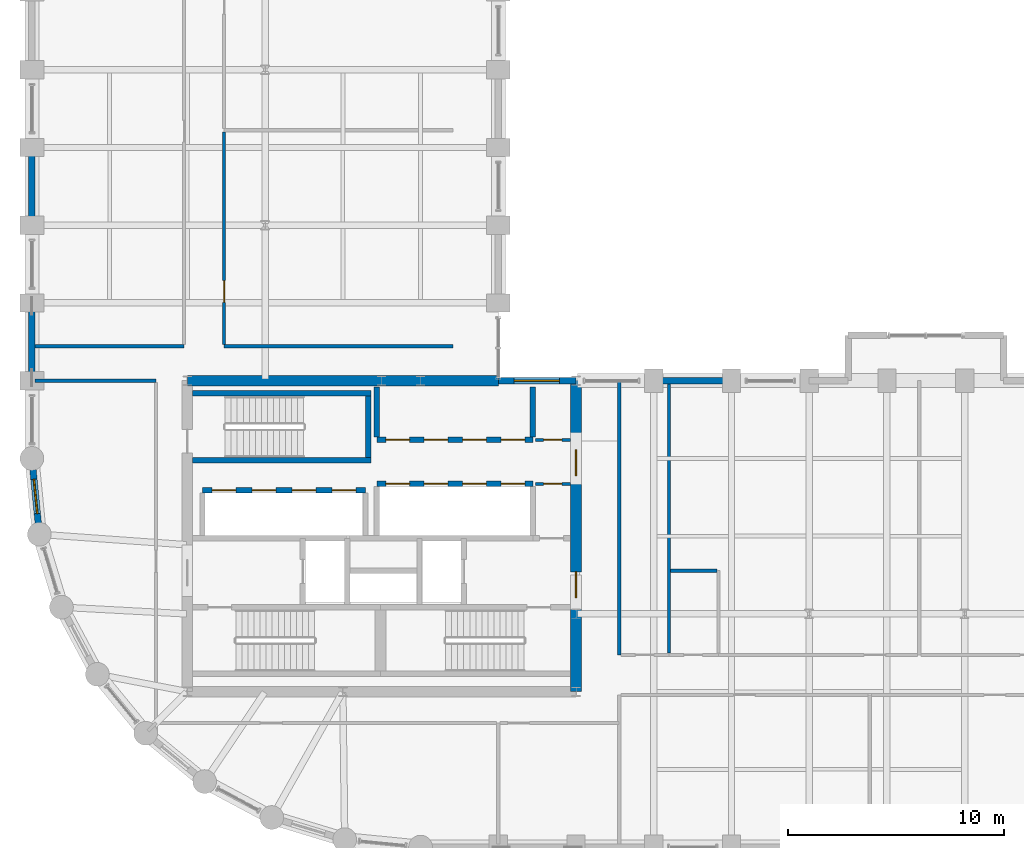
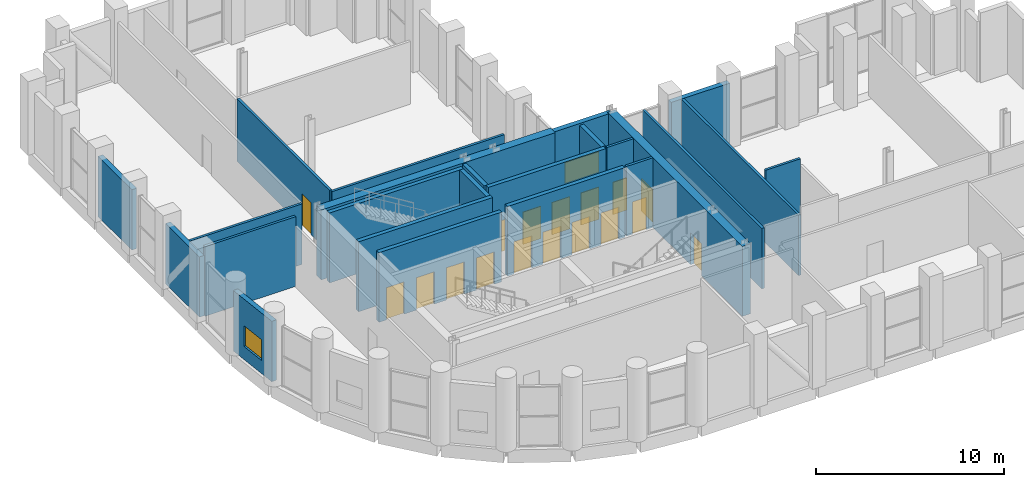
# One storey, part 19 of 22: 24 walls, 17 doors, 2 windows, 19 openings.
"""IFC4 building model written with IfcOpenShell, lengths in metres."""

from ifc_helpers import new_model, si_unit, direction, frame, frame_2d, origin, place, context, subcontext, project, spatial, rectangle, extrude, material, layer, layer_set, type_object, element, fill, save


model = new_model("IFC4")

# Units and contexts
model_context = context("Model", 3, precision=1e-05, world=origin(), true_north=direction((0.0, 1.0)))
body_context = subcontext(model_context, "Body", "Model", "MODEL_VIEW")
ifc_project = project(units=[si_unit("LENGTHUNIT", "METRE"), si_unit("AREAUNIT", "SQUARE_METRE"), si_unit("VOLUMEUNIT", "CUBIC_METRE"), si_unit("PLANEANGLEUNIT", "RADIAN"), si_unit("MASSUNIT", "GRAM", prefix="KILO")], contexts=[model_context])

# Site, building, storey
site_placement = place(None, origin())
site = spatial("IfcSite", under=ifc_project, at=site_placement, CompositionType="ELEMENT")
building_placement = place(site_placement, origin())
building = spatial("IfcBuilding", under=site, at=building_placement, Name="Solnavia Interchange Tower", CompositionType="ELEMENT")
storey_placement = place(building_placement, frame((0.0, 0.0, 115.199951171875)))
storey = spatial("IfcBuildingStorey", under=building, at=storey_placement, Name="L28", CompositionType="ELEMENT", Elevation=115.199951171875)

# Wall
ifc_material_1 = material(Name="Concrete C40/50", Category="concrete")
ifc_layer_1 = layer(ifc_material_1, 0.300048828125)
ifc_layer_set_1 = layer_set([ifc_layer_1], Name="Concrete C40/50")
wall_type_1 = type_object("IfcWallType", Name="Wall-ExtSpandrel-300", PredefinedType="STANDARD", material=ifc_layer_set_1)
wall_1_placement = place(storey_placement, frame((36.0, 25.199951171875, 0.0), z_axis=(0.0, 0.0, 1.0), x_axis=(1.0, 0.0, 0.0)))
element("IfcWall", 1, at=wall_1_placement, inside=storey, type_object=wall_type_1, Name="EXW-L28-29 Exterior precast spandrel wall", PredefinedType="STANDARD", context=body_context, shape_type="SweptSolid", body=[
    extrude(rectangle(XDim=3.60009765625, YDim=0.300048828125, at=frame_2d((1.800048828125, 0.0))), origin(), (0.0, 0.0, 1.0), 3.929931640625),
])

# Wall, opening, window
wall_2_placement = place(storey_placement, frame((28.800048828125, 25.199951171875, 0.0), z_axis=(0.0, 0.0, 1.0), x_axis=(1.0, 0.0, 0.0)))
wall_2 = element("IfcWall", 2, at=wall_2_placement, inside=storey, type_object=wall_type_1, Name="EXW-L28-31 Exterior precast spandrel wall", PredefinedType="STANDARD", context=body_context, shape_type="SweptSolid", body=[
    extrude(rectangle(XDim=3.599853515625, YDim=0.300048828125, at=frame_2d((1.7998046875, 0.0))), origin(), (0.0, 0.0, 1.0), 4.53515625),
])
opening_1_placement = place(wall_2_placement, frame((0.72802734375, 0.0, 0.85009765625)))
opening_1 = element("IfcOpeningElement", 3, at=opening_1_placement, cuts=wall_2, Name="Opening WIN-01", PredefinedType="OPENING", context=body_context, shape_type="SweptSolid", body=[
    extrude(rectangle(XDim=2.10009765625, YDim=1.35009765625, at=frame_2d((1.050048828125, 0.675048828125))), frame((0.0, 0.16015625, 0.0), z_axis=(0.0, -1.0, 0.0), x_axis=(1.0, 0.0, 0.0)), (0.0, 0.0, 1.0), 0.320068359375),
])
ifc_material_2 = material(Name="Thermal-Break Aluminium & Low-E Glass", Category="aluminium")
window_type_1 = type_object("IfcWindowType", Name="Window-Ribbon-2100x1350", PartitioningType="SINGLE_PANEL", PredefinedType="WINDOW", material=ifc_material_2)
window_1_placement = place(opening_1_placement, origin())
window_1 = element("IfcWindow", 4, at=window_1_placement, inside=storey, type_object=window_type_1, Name="WIN-L28-31 Facade ribbon window", OverallHeight=1.35009765625, OverallWidth=2.10009765625, PartitioningType="SINGLE_PANEL", PredefinedType="WINDOW", context=body_context, shape_type="SweptSolid", body=[
    extrude(rectangle(XDim=2.10009765625, YDim=1.35009765625, at=frame_2d((1.050048828125, 0.675048828125))), frame((0.0, 0.030029296875, 0.0), z_axis=(0.0, -1.0, 0.0), x_axis=(1.0, 0.0, 0.0)), (0.0, 0.0, 1.0), 0.06005859375),
])
fill(opening_1, window_1)

# Walls
for number, where, z_axis, x_axis, name in (
    (5, (7.199951171875, 32.39990234375, 0.0), (0.0, 0.0, 1.0), (0.0, 1.0, 0.0), "EXW-L28-51 Exterior precast spandrel wall"),
    (6, (7.199951171875, 25.199951171875, 0.0), (0.0, 0.0, 1.0), (0.0, 1.0, 0.0), "EXW-L28-53 Exterior precast spandrel wall"),
):
    element("IfcWall", number, at=place(storey_placement, frame(where, z_axis=z_axis, x_axis=x_axis)), inside=storey, type_object=wall_type_1, Name=name, PredefinedType="STANDARD", context=body_context, shape_type="SweptSolid", body=[
        extrude(rectangle(XDim=3.60009765625, YDim=0.300048828125, at=frame_2d((1.800048828125, 0.0))), origin(), (0.0, 0.0, 1.0), 3.929931640625),
    ])

# Wall, opening, window
wall_3_placement = place(storey_placement, frame((7.5458984375, 18.087890625, 0.0), z_axis=(0.0, 0.0, 1.0), x_axis=(-0.09802417461, 0.995184033831, 0.0)))
wall_3 = element("IfcWall", 7, at=wall_3_placement, inside=storey, type_object=wall_type_1, Name="EXW-L28-55 Exterior precast spandrel wall", PredefinedType="STANDARD", context=body_context, shape_type="SweptSolid", body=[
    extrude(rectangle(XDim=3.529296875, YDim=0.300048828125, at=frame_2d((1.7646484375, 0.0))), origin(), (0.0, 0.0, 1.0), 3.929931640625),
])
opening_2_placement = place(wall_3_placement, frame((0.965087890625, 0.0, 0.85009765625)))
opening_2 = element("IfcOpeningElement", 8, at=opening_2_placement, cuts=wall_3, Name="Opening WIN-04", PredefinedType="OPENING", context=body_context, shape_type="SweptSolid", body=[
    extrude(rectangle(XDim=1.60009765625, YDim=1.35009765625, at=frame_2d((0.800048828125, 0.675048828125))), frame((0.0, 0.16015625, 0.0), z_axis=(0.0, -1.0, 0.0), x_axis=(1.0, 0.0, 0.0)), (0.0, 0.0, 1.0), 0.320068359375),
])
window_type_2 = type_object("IfcWindowType", Name="Window-Drum-1600x1350", PartitioningType="SINGLE_PANEL", PredefinedType="WINDOW", material=ifc_material_2)
window_2_placement = place(opening_2_placement, origin())
window_2 = element("IfcWindow", 9, at=window_2_placement, inside=storey, type_object=window_type_2, Name="WIN-L28-55 Facade ribbon window", OverallHeight=1.35009765625, OverallWidth=1.60009765625, PartitioningType="SINGLE_PANEL", PredefinedType="WINDOW", context=body_context, shape_type="SweptSolid", body=[
    extrude(rectangle(XDim=1.60009765625, YDim=1.35009765625, at=frame_2d((0.800048828125, 0.675048828125))), frame((0.0, 0.030029296875, 0.0), z_axis=(0.0, -1.0, 0.0), x_axis=(1.0, 0.0, 0.0)), (0.0, 0.0, 1.0), 0.06005859375),
])
fill(opening_2, window_2)

# Wall, opening, door
ifc_material_3 = material(Name="Gypsum Plasterboard & Steel Stud", Category="steel")
ifc_layer_2 = layer(ifc_material_3, 0.14990234375)
ifc_layer_set_2 = layer_set([ifc_layer_2], Name="Gypsum Plasterboard & Steel Stud")
wall_type_2 = type_object("IfcWallType", Name="Wall-Partition-150", PredefinedType="PARTITIONING", material=ifc_layer_set_2)
wall_4_placement = place(storey_placement, frame((30.52001953125, 22.4599609375, 0.0), z_axis=(0.0, 0.0, 1.0), x_axis=(1.0, 0.0, 0.0)))
wall_4 = element("IfcWall", 10, at=wall_4_placement, inside=storey, type_object=wall_type_2, Name="CSW-L28-NE-S Core shaft wall", PredefinedType="PARTITIONING", context=body_context, shape_type="SweptSolid", body=[
    extrude(rectangle(XDim=1.6298828125, YDim=0.14990234375, at=frame_2d((0.81494140625, 0.0))), origin(), (0.0, 0.0, 1.0), 4.53515625),
])
opening_3_placement = place(wall_4_placement, frame((0.3798828125, 0.0, 0.0)))
opening_3 = element("IfcOpeningElement", 11, at=opening_3_placement, cuts=wall_4, Name="Opening DR-10", PredefinedType="OPENING", context=body_context, shape_type="SweptSolid", body=[
    extrude(rectangle(XDim=0.85009765625, YDim=2.10009765625, at=frame_2d((0.425048828125, 1.050048828125))), frame((0.0, 0.0849609375, 0.0), z_axis=(0.0, -1.0, 0.0), x_axis=(1.0, 0.0, 0.0)), (0.0, 0.0, 1.0), 0.169921875),
])
ifc_material_4 = material(Name="Moisture-Resistant Timber Door", Category="wood")
door_type_1 = type_object("IfcDoorType", Name="Door-Bathroom-850x2100", OperationType="SINGLE_SWING_RIGHT", PredefinedType="DOOR", material=ifc_material_4)
door_1_placement = place(opening_3_placement, origin())
door_1 = element("IfcDoor", 12, at=door_1_placement, inside=storey, type_object=door_type_1, Name="DR-L28-CNE1 Core fire door", OperationType="SINGLE_SWING_RIGHT", OverallHeight=2.10009765625, OverallWidth=0.85009765625, PredefinedType="DOOR", context=body_context, shape_type="SweptSolid", body=[
    extrude(rectangle(XDim=0.85009765625, YDim=2.10009765625, at=frame_2d((0.425048828125, 1.050048828125))), frame((0.0, 0.02490234375, 0.0), z_axis=(0.0, -1.0, 0.0), x_axis=(1.0, 0.0, 0.0)), (0.0, 0.0, 1.0), 0.050048828125),
])
fill(opening_3, door_1)

wall_5_placement = place(storey_placement, frame((30.52001953125, 20.419921875, 0.0), z_axis=(0.0, 0.0, 1.0), x_axis=(1.0, 0.0, 0.0)))
wall_5 = element("IfcWall", 13, at=wall_5_placement, inside=storey, type_object=wall_type_2, Name="CSW-L28-SE-N Core shaft wall", PredefinedType="PARTITIONING", context=body_context, shape_type="SweptSolid", body=[
    extrude(rectangle(XDim=1.6298828125, YDim=0.14990234375, at=frame_2d((0.81494140625, 0.0))), origin(), (0.0, 0.0, 1.0), 4.53515625),
])
opening_4_placement = place(wall_5_placement, frame((0.3798828125, 0.0, 0.0)))
opening_4 = element("IfcOpeningElement", 14, at=opening_4_placement, cuts=wall_5, Name="Opening DR-10", PredefinedType="OPENING", context=body_context, shape_type="SweptSolid", body=[
    extrude(rectangle(XDim=0.85009765625, YDim=2.10009765625, at=frame_2d((0.425048828125, 1.050048828125))), frame((0.0, 0.0849609375, 0.0), z_axis=(0.0, -1.0, 0.0), x_axis=(1.0, 0.0, 0.0)), (0.0, 0.0, 1.0), 0.169921875),
])
door_2_placement = place(opening_4_placement, origin())
door_2 = element("IfcDoor", 15, at=door_2_placement, inside=storey, type_object=door_type_1, Name="DR-L28-CSE1 Core fire door", OperationType="SINGLE_SWING_LEFT", OverallHeight=2.10009765625, OverallWidth=0.85009765625, PredefinedType="DOOR", context=body_context, shape_type="SweptSolid", body=[
    extrude(rectangle(XDim=0.85009765625, YDim=2.10009765625, at=frame_2d((0.425048828125, 1.050048828125))), frame((0.0, 0.02490234375, 0.0), z_axis=(0.0, -1.0, 0.0), x_axis=(1.0, 0.0, 0.0)), (0.0, 0.0, 1.0), 0.050048828125),
])
fill(opening_4, door_2)

# Walls
wall_6_placement = place(storey_placement, frame((7.35400390625, 25.199951171875, 0.0), z_axis=(0.0, 0.0, 1.0), x_axis=(1.0, 0.0, 0.0)))
element("IfcWall", 16, at=wall_6_placement, inside=storey, type_object=wall_type_2, Name="PTW-L28-07 Interior partition wall", PredefinedType="PARTITIONING", context=body_context, shape_type="SweptSolid", body=[
    extrude(rectangle(XDim=5.595947265625, YDim=0.14990234375, at=frame_2d((2.7978515625, 0.0))), origin(), (0.0, 0.0, 1.0), 4.53515625),
])
wall_7_placement = place(storey_placement, frame((7.35400390625, 26.800048828125, 0.0), z_axis=(0.0, 0.0, 1.0), x_axis=(1.0, 0.0, 0.0)))
element("IfcWall", 17, at=wall_7_placement, inside=storey, type_object=wall_type_2, Name="PTW-L28-20 Interior partition wall", PredefinedType="PARTITIONING", context=body_context, shape_type="SweptSolid", body=[
    extrude(rectangle(XDim=6.89599609375, YDim=0.14990234375, at=frame_2d((3.447998046875, 0.0))), origin(), (0.0, 0.0, 1.0), 3.929931640625),
])
wall_8_placement = place(storey_placement, frame((16.10009765625, 26.800048828125, 0.0), z_axis=(0.0, 0.0, 1.0), x_axis=(1.0, 0.0, 0.0)))
element("IfcWall", 18, at=wall_8_placement, inside=storey, type_object=wall_type_2, Name="PTW-L28-22 Interior partition wall", PredefinedType="PARTITIONING", context=body_context, shape_type="SweptSolid", body=[
    extrude(rectangle(XDim=10.599853515625, YDim=0.14990234375, at=frame_2d((5.2998046875, 0.0))), origin(), (0.0, 0.0, 1.0), 4.080078125),
])

# Wall, opening, door
wall_9_placement = place(storey_placement, frame((16.10009765625, 26.87890625, 0.0), z_axis=(0.0, 0.0, 1.0), x_axis=(0.0, 1.0, 0.0)))
wall_9 = element("IfcWall", 19, at=wall_9_placement, inside=storey, type_object=wall_type_2, Name="PTW-L28-24 Interior partition wall", PredefinedType="PARTITIONING", context=body_context, shape_type="SweptSolid", body=[
    extrude(rectangle(XDim=9.842041015625, YDim=0.14990234375, at=frame_2d((4.9208984375, 0.0))), origin(), (0.0, 0.0, 1.0), 4.090087890625),
])
opening_5_placement = place(wall_9_placement, frame((1.952880859375, 0.0, 0.0)))
opening_5 = element("IfcOpeningElement", 20, at=opening_5_placement, cuts=wall_9, Name="Opening DR-07", PredefinedType="OPENING", context=body_context, shape_type="SweptSolid", body=[
    extrude(rectangle(XDim=1.0, YDim=2.10009765625, at=frame_2d((0.5, 1.050048828125))), frame((0.0, 0.0849609375, 0.0), z_axis=(0.0, -1.0, 0.0), x_axis=(1.0, 0.0, 0.0)), (0.0, 0.0, 1.0), 0.169921875),
])
ifc_material_5 = material(Name="Timber & Acoustic Glazed Office Door", Category="wood")
door_type_2 = type_object("IfcDoorType", Name="Door-Office-1000x2100", OperationType="SINGLE_SWING_RIGHT", PredefinedType="DOOR", material=ifc_material_5)
door_3_placement = place(opening_5_placement, origin())
door_3 = element("IfcDoor", 21, at=door_3_placement, inside=storey, type_object=door_type_2, Name="DR-L28-11 Interior room door", OperationType="SINGLE_SWING_LEFT", OverallHeight=2.10009765625, OverallWidth=1.0, PredefinedType="DOOR", context=body_context, shape_type="SweptSolid", body=[
    extrude(rectangle(XDim=1.0, YDim=2.10009765625, at=frame_2d((0.5, 1.050048828125))), frame((0.0, 0.02490234375, 0.0), z_axis=(0.0, -1.0, 0.0), x_axis=(1.0, 0.0, 0.0)), (0.0, 0.0, 1.0), 0.050048828125),
])
fill(opening_5, door_3)

# Walls
ifc_layer_3 = layer(ifc_material_1, 0.25)
ifc_layer_set_3 = layer_set([ifc_layer_3], Name="Concrete C40/50")
wall_type_3 = type_object("IfcWallType", Name="Wall-ShaftCore-250", PredefinedType="SHEAR", material=ifc_layer_set_3)
for number, where, z_axis, x_axis, name in (
    (22, (14.64990234375, 21.52490234375, 0.0), (0.0, 0.0, 1.0), (1.0, 0.0, 0.0), "SHW-L28-ST3S Core shear wall"),
    (23, (14.64990234375, 24.614990234375, 0.0), (0.0, 0.0, 1.0), (1.0, 0.0, 0.0), "SHW-L28-ST3N Core shear wall"),
):
    element("IfcWall", number, at=place(storey_placement, frame(where, z_axis=z_axis, x_axis=x_axis)), inside=storey, type_object=wall_type_3, Name=name, PredefinedType="SHEAR", context=body_context, shape_type="SweptSolid", body=[
        extrude(rectangle(XDim=8.25, YDim=0.25, at=frame_2d((4.125, 0.0))), origin(), (0.0, 0.0, 1.0), 4.550048828125),
    ])
wall_10_placement = place(storey_placement, frame((22.77490234375, 21.64990234375, 0.0), z_axis=(0.0, 0.0, 1.0), x_axis=(0.0, 1.0, 0.0)))
element("IfcWall", 24, at=wall_10_placement, inside=storey, type_object=wall_type_3, Name="SHW-L28-ST3E Core shear wall", PredefinedType="SHEAR", context=body_context, shape_type="SweptSolid", body=[
    extrude(rectangle(XDim=2.840087890625, YDim=0.25, at=frame_2d((1.419921875, 0.0))), origin(), (0.0, 0.0, 1.0), 4.550048828125),
])

# Wall, openings, doors
ifc_layer_4 = layer(ifc_material_1, 0.25)
ifc_layer_set_4 = layer_set([ifc_layer_4], Name="Concrete C40/50")
wall_type_4 = type_object("IfcWallType", Name="Wall-ShaftPart-250", PredefinedType="PARTITIONING", material=ifc_layer_set_4)
wall_11_placement = place(storey_placement, frame((15.10009765625, 20.125, 0.0), z_axis=(0.0, 0.0, 1.0), x_axis=(1.0, 0.0, 0.0)))
wall_11 = element("IfcWall", 25, at=wall_11_placement, inside=storey, type_object=wall_type_4, Name="SHW-L28-B1N Core shaft wall", PredefinedType="PARTITIONING", context=body_context, shape_type="SweptSolid", body=[
    extrude(rectangle(XDim=7.5498046875, YDim=0.25, at=frame_2d((3.77490234375, 0.0))), origin(), (0.0, 0.0, 1.0), 4.53515625),
])
opening_6_placement = place(wall_11_placement, frame((0.449951171875, 0.0, 0.0)))
opening_6 = element("IfcOpeningElement", 26, at=opening_6_placement, cuts=wall_11, Name="Opening LD-01", PredefinedType="OPENING", context=body_context, shape_type="SweptSolid", body=[
    extrude(rectangle(XDim=1.10009765625, YDim=2.10009765625, at=frame_2d((0.550048828125, 1.050048828125))), frame((0.0, 0.135009765625, 0.0), z_axis=(0.0, -1.0, 0.0), x_axis=(1.0, 0.0, 0.0)), (0.0, 0.0, 1.0), 0.27001953125),
])
opening_7_placement = place(wall_11_placement, frame((2.300048828125, 0.0, 0.0)))
opening_7 = element("IfcOpeningElement", 27, at=opening_7_placement, cuts=wall_11, Name="Opening LD-01", PredefinedType="OPENING", context=body_context, shape_type="SweptSolid", body=[
    extrude(rectangle(XDim=1.10009765625, YDim=2.10009765625, at=frame_2d((0.550048828125, 1.050048828125))), frame((0.0, 0.135009765625, 0.0), z_axis=(0.0, -1.0, 0.0), x_axis=(1.0, 0.0, 0.0)), (0.0, 0.0, 1.0), 0.27001953125),
])
opening_8_placement = place(wall_11_placement, frame((4.14990234375, 0.0, 0.0)))
opening_8 = element("IfcOpeningElement", 28, at=opening_8_placement, cuts=wall_11, Name="Opening LD-01", PredefinedType="OPENING", context=body_context, shape_type="SweptSolid", body=[
    extrude(rectangle(XDim=1.10009765625, YDim=2.10009765625, at=frame_2d((0.550048828125, 1.050048828125))), frame((0.0, 0.135009765625, 0.0), z_axis=(0.0, -1.0, 0.0), x_axis=(1.0, 0.0, 0.0)), (0.0, 0.0, 1.0), 0.27001953125),
])
opening_9_placement = place(wall_11_placement, frame((6.0, 0.0, 0.0)))
opening_9 = element("IfcOpeningElement", 29, at=opening_9_placement, cuts=wall_11, Name="Opening LD-01", PredefinedType="OPENING", context=body_context, shape_type="SweptSolid", body=[
    extrude(rectangle(XDim=1.10009765625, YDim=2.10009765625, at=frame_2d((0.550048828125, 1.050048828125))), frame((0.0, 0.135009765625, 0.0), z_axis=(0.0, -1.0, 0.0), x_axis=(1.0, 0.0, 0.0)), (0.0, 0.0, 1.0), 0.27001953125),
])
ifc_material_6 = material(Name="Brushed Stainless Steel Sliding Door", Category="steel")
door_type_3 = type_object("IfcDoorType", Name="Door-LiftLanding-1100x2100", OperationType="SLIDING_TO_LEFT", PredefinedType="DOOR", material=ifc_material_6)
door_4_placement = place(opening_6_placement, origin())
door_4 = element("IfcDoor", 30, at=door_4_placement, inside=storey, type_object=door_type_3, Name="LD-L28-B1-1 Lift landing sliding door", OperationType="SLIDING_TO_LEFT", OverallHeight=2.10009765625, OverallWidth=1.10009765625, PredefinedType="DOOR", context=body_context, shape_type="SweptSolid", body=[
    extrude(rectangle(XDim=1.10009765625, YDim=2.10009765625, at=frame_2d((0.550048828125, 1.050048828125))), frame((0.0, 0.02490234375, 0.0), z_axis=(0.0, -1.0, 0.0), x_axis=(1.0, 0.0, 0.0)), (0.0, 0.0, 1.0), 0.050048828125),
])
fill(opening_6, door_4)
door_5_placement = place(opening_7_placement, origin())
door_5 = element("IfcDoor", 31, at=door_5_placement, inside=storey, type_object=door_type_3, Name="LD-L28-B1-2 Lift landing sliding door", OperationType="SLIDING_TO_LEFT", OverallHeight=2.10009765625, OverallWidth=1.10009765625, PredefinedType="DOOR", context=body_context, shape_type="SweptSolid", body=[
    extrude(rectangle(XDim=1.10009765625, YDim=2.10009765625, at=frame_2d((0.550048828125, 1.050048828125))), frame((0.0, 0.02490234375, 0.0), z_axis=(0.0, -1.0, 0.0), x_axis=(1.0, 0.0, 0.0)), (0.0, 0.0, 1.0), 0.050048828125),
])
fill(opening_7, door_5)
door_6_placement = place(opening_8_placement, origin())
door_6 = element("IfcDoor", 32, at=door_6_placement, inside=storey, type_object=door_type_3, Name="LD-L28-B1-3 Lift landing sliding door", OperationType="SLIDING_TO_LEFT", OverallHeight=2.10009765625, OverallWidth=1.10009765625, PredefinedType="DOOR", context=body_context, shape_type="SweptSolid", body=[
    extrude(rectangle(XDim=1.10009765625, YDim=2.10009765625, at=frame_2d((0.550048828125, 1.050048828125))), frame((0.0, 0.02490234375, 0.0), z_axis=(0.0, -1.0, 0.0), x_axis=(1.0, 0.0, 0.0)), (0.0, 0.0, 1.0), 0.050048828125),
])
fill(opening_8, door_6)
door_7_placement = place(opening_9_placement, origin())
door_7 = element("IfcDoor", 33, at=door_7_placement, inside=storey, type_object=door_type_3, Name="LD-L28-B1-4 Lift landing sliding door", OperationType="SLIDING_TO_LEFT", OverallHeight=2.10009765625, OverallWidth=1.10009765625, PredefinedType="DOOR", context=body_context, shape_type="SweptSolid", body=[
    extrude(rectangle(XDim=1.10009765625, YDim=2.10009765625, at=frame_2d((0.550048828125, 1.050048828125))), frame((0.0, 0.02490234375, 0.0), z_axis=(0.0, -1.0, 0.0), x_axis=(1.0, 0.0, 0.0)), (0.0, 0.0, 1.0), 0.050048828125),
])
fill(opening_9, door_7)

wall_12_placement = place(storey_placement, frame((23.179931640625, 20.419921875, 0.0), z_axis=(0.0, 0.0, 1.0), x_axis=(1.0, 0.0, 0.0)))
wall_12 = element("IfcWall", 34, at=wall_12_placement, inside=storey, type_object=wall_type_4, Name="SHW-L28-B2N Core shaft wall", PredefinedType="PARTITIONING", context=body_context, shape_type="SweptSolid", body=[
    extrude(rectangle(XDim=7.219970703125, YDim=0.25, at=frame_2d((3.60986328125, 0.0))), origin(), (0.0, 0.0, 1.0), 4.53515625),
])
opening_10_placement = place(wall_12_placement, frame((0.409912109375, 0.0, 0.0)))
opening_10 = element("IfcOpeningElement", 35, at=opening_10_placement, cuts=wall_12, Name="Opening LD-01", PredefinedType="OPENING", context=body_context, shape_type="SweptSolid", body=[
    extrude(rectangle(XDim=1.10009765625, YDim=2.10009765625, at=frame_2d((0.550048828125, 1.050048828125))), frame((0.0, 0.135009765625, 0.0), z_axis=(0.0, -1.0, 0.0), x_axis=(1.0, 0.0, 0.0)), (0.0, 0.0, 1.0), 0.27001953125),
])
opening_11_placement = place(wall_12_placement, frame((2.18994140625, 0.0, 0.0)))
opening_11 = element("IfcOpeningElement", 36, at=opening_11_placement, cuts=wall_12, Name="Opening LD-01", PredefinedType="OPENING", context=body_context, shape_type="SweptSolid", body=[
    extrude(rectangle(XDim=1.10009765625, YDim=2.10009765625, at=frame_2d((0.550048828125, 1.050048828125))), frame((0.0, 0.135009765625, 0.0), z_axis=(0.0, -1.0, 0.0), x_axis=(1.0, 0.0, 0.0)), (0.0, 0.0, 1.0), 0.27001953125),
])
opening_12_placement = place(wall_12_placement, frame((3.969970703125, 0.0, 0.0)))
opening_12 = element("IfcOpeningElement", 37, at=opening_12_placement, cuts=wall_12, Name="Opening LD-01", PredefinedType="OPENING", context=body_context, shape_type="SweptSolid", body=[
    extrude(rectangle(XDim=1.10009765625, YDim=2.10009765625, at=frame_2d((0.550048828125, 1.050048828125))), frame((0.0, 0.135009765625, 0.0), z_axis=(0.0, -1.0, 0.0), x_axis=(1.0, 0.0, 0.0)), (0.0, 0.0, 1.0), 0.27001953125),
])
opening_13_placement = place(wall_12_placement, frame((5.75, 0.0, 0.0)))
opening_13 = element("IfcOpeningElement", 38, at=opening_13_placement, cuts=wall_12, Name="Opening LD-01", PredefinedType="OPENING", context=body_context, shape_type="SweptSolid", body=[
    extrude(rectangle(XDim=1.10009765625, YDim=2.10009765625, at=frame_2d((0.550048828125, 1.050048828125))), frame((0.0, 0.135009765625, 0.0), z_axis=(0.0, -1.0, 0.0), x_axis=(1.0, 0.0, 0.0)), (0.0, 0.0, 1.0), 0.27001953125),
])
door_8_placement = place(opening_10_placement, origin())
door_8 = element("IfcDoor", 39, at=door_8_placement, inside=storey, type_object=door_type_3, Name="LD-L28-B2-1 Lift landing sliding door", OperationType="SLIDING_TO_LEFT", OverallHeight=2.10009765625, OverallWidth=1.10009765625, PredefinedType="DOOR", context=body_context, shape_type="SweptSolid", body=[
    extrude(rectangle(XDim=1.10009765625, YDim=2.10009765625, at=frame_2d((0.550048828125, 1.050048828125))), frame((0.0, 0.02490234375, 0.0), z_axis=(0.0, -1.0, 0.0), x_axis=(1.0, 0.0, 0.0)), (0.0, 0.0, 1.0), 0.050048828125),
])
fill(opening_10, door_8)
door_9_placement = place(opening_11_placement, origin())
door_9 = element("IfcDoor", 40, at=door_9_placement, inside=storey, type_object=door_type_3, Name="LD-L28-B2-2 Lift landing sliding door", OperationType="SLIDING_TO_LEFT", OverallHeight=2.10009765625, OverallWidth=1.10009765625, PredefinedType="DOOR", context=body_context, shape_type="SweptSolid", body=[
    extrude(rectangle(XDim=1.10009765625, YDim=2.10009765625, at=frame_2d((0.550048828125, 1.050048828125))), frame((0.0, 0.02490234375, 0.0), z_axis=(0.0, -1.0, 0.0), x_axis=(1.0, 0.0, 0.0)), (0.0, 0.0, 1.0), 0.050048828125),
])
fill(opening_11, door_9)
door_10_placement = place(opening_12_placement, origin())
door_10 = element("IfcDoor", 41, at=door_10_placement, inside=storey, type_object=door_type_3, Name="LD-L28-B2-3 Lift landing sliding door", OperationType="SLIDING_TO_LEFT", OverallHeight=2.10009765625, OverallWidth=1.10009765625, PredefinedType="DOOR", context=body_context, shape_type="SweptSolid", body=[
    extrude(rectangle(XDim=1.10009765625, YDim=2.10009765625, at=frame_2d((0.550048828125, 1.050048828125))), frame((0.0, 0.02490234375, 0.0), z_axis=(0.0, -1.0, 0.0), x_axis=(1.0, 0.0, 0.0)), (0.0, 0.0, 1.0), 0.050048828125),
])
fill(opening_12, door_10)
door_11_placement = place(opening_13_placement, origin())
door_11 = element("IfcDoor", 42, at=door_11_placement, inside=storey, type_object=door_type_3, Name="LD-L28-B2-4 Lift landing sliding door", OperationType="SLIDING_TO_LEFT", OverallHeight=2.10009765625, OverallWidth=1.10009765625, PredefinedType="DOOR", context=body_context, shape_type="SweptSolid", body=[
    extrude(rectangle(XDim=1.10009765625, YDim=2.10009765625, at=frame_2d((0.550048828125, 1.050048828125))), frame((0.0, 0.02490234375, 0.0), z_axis=(0.0, -1.0, 0.0), x_axis=(1.0, 0.0, 0.0)), (0.0, 0.0, 1.0), 0.050048828125),
])
fill(opening_13, door_11)

wall_13_placement = place(storey_placement, frame((23.179931640625, 22.4599609375, 0.0), z_axis=(0.0, 0.0, 1.0), x_axis=(1.0, 0.0, 0.0)))
wall_13 = element("IfcWall", 43, at=wall_13_placement, inside=storey, type_object=wall_type_4, Name="SHW-L28-B3S Core shaft wall", PredefinedType="PARTITIONING", context=body_context, shape_type="SweptSolid", body=[
    extrude(rectangle(XDim=7.219970703125, YDim=0.25, at=frame_2d((3.60986328125, 0.0))), origin(), (0.0, 0.0, 1.0), 4.53515625),
])
opening_14_placement = place(wall_13_placement, frame((0.409912109375, 0.0, 0.0)))
opening_14 = element("IfcOpeningElement", 44, at=opening_14_placement, cuts=wall_13, Name="Opening LD-01", PredefinedType="OPENING", context=body_context, shape_type="SweptSolid", body=[
    extrude(rectangle(XDim=1.10009765625, YDim=2.10009765625, at=frame_2d((0.550048828125, 1.050048828125))), frame((0.0, 0.135009765625, 0.0), z_axis=(0.0, -1.0, 0.0), x_axis=(1.0, 0.0, 0.0)), (0.0, 0.0, 1.0), 0.27001953125),
])
opening_15_placement = place(wall_13_placement, frame((2.18994140625, 0.0, 0.0)))
opening_15 = element("IfcOpeningElement", 45, at=opening_15_placement, cuts=wall_13, Name="Opening LD-01", PredefinedType="OPENING", context=body_context, shape_type="SweptSolid", body=[
    extrude(rectangle(XDim=1.10009765625, YDim=2.10009765625, at=frame_2d((0.550048828125, 1.050048828125))), frame((0.0, 0.135009765625, 0.0), z_axis=(0.0, -1.0, 0.0), x_axis=(1.0, 0.0, 0.0)), (0.0, 0.0, 1.0), 0.27001953125),
])
opening_16_placement = place(wall_13_placement, frame((3.969970703125, 0.0, 0.0)))
opening_16 = element("IfcOpeningElement", 46, at=opening_16_placement, cuts=wall_13, Name="Opening LD-01", PredefinedType="OPENING", context=body_context, shape_type="SweptSolid", body=[
    extrude(rectangle(XDim=1.10009765625, YDim=2.10009765625, at=frame_2d((0.550048828125, 1.050048828125))), frame((0.0, 0.135009765625, 0.0), z_axis=(0.0, -1.0, 0.0), x_axis=(1.0, 0.0, 0.0)), (0.0, 0.0, 1.0), 0.27001953125),
])
opening_17_placement = place(wall_13_placement, frame((5.75, 0.0, 0.0)))
opening_17 = element("IfcOpeningElement", 47, at=opening_17_placement, cuts=wall_13, Name="Opening LD-01", PredefinedType="OPENING", context=body_context, shape_type="SweptSolid", body=[
    extrude(rectangle(XDim=1.10009765625, YDim=2.10009765625, at=frame_2d((0.550048828125, 1.050048828125))), frame((0.0, 0.135009765625, 0.0), z_axis=(0.0, -1.0, 0.0), x_axis=(1.0, 0.0, 0.0)), (0.0, 0.0, 1.0), 0.27001953125),
])
door_12_placement = place(opening_14_placement, origin())
door_12 = element("IfcDoor", 48, at=door_12_placement, inside=storey, type_object=door_type_3, Name="LD-L28-B3-1 Lift landing sliding door", OperationType="SLIDING_TO_LEFT", OverallHeight=2.10009765625, OverallWidth=1.10009765625, PredefinedType="DOOR", context=body_context, shape_type="SweptSolid", body=[
    extrude(rectangle(XDim=1.10009765625, YDim=2.10009765625, at=frame_2d((0.550048828125, 1.050048828125))), frame((0.0, 0.02490234375, 0.0), z_axis=(0.0, -1.0, 0.0), x_axis=(1.0, 0.0, 0.0)), (0.0, 0.0, 1.0), 0.050048828125),
])
fill(opening_14, door_12)
door_13_placement = place(opening_15_placement, origin())
door_13 = element("IfcDoor", 49, at=door_13_placement, inside=storey, type_object=door_type_3, Name="LD-L28-B3-2 Lift landing sliding door", OperationType="SLIDING_TO_LEFT", OverallHeight=2.10009765625, OverallWidth=1.10009765625, PredefinedType="DOOR", context=body_context, shape_type="SweptSolid", body=[
    extrude(rectangle(XDim=1.10009765625, YDim=2.10009765625, at=frame_2d((0.550048828125, 1.050048828125))), frame((0.0, 0.02490234375, 0.0), z_axis=(0.0, -1.0, 0.0), x_axis=(1.0, 0.0, 0.0)), (0.0, 0.0, 1.0), 0.050048828125),
])
fill(opening_15, door_13)
door_14_placement = place(opening_16_placement, origin())
door_14 = element("IfcDoor", 50, at=door_14_placement, inside=storey, type_object=door_type_3, Name="LD-L28-B3-3 Lift landing sliding door", OperationType="SLIDING_TO_LEFT", OverallHeight=2.10009765625, OverallWidth=1.10009765625, PredefinedType="DOOR", context=body_context, shape_type="SweptSolid", body=[
    extrude(rectangle(XDim=1.10009765625, YDim=2.10009765625, at=frame_2d((0.550048828125, 1.050048828125))), frame((0.0, 0.02490234375, 0.0), z_axis=(0.0, -1.0, 0.0), x_axis=(1.0, 0.0, 0.0)), (0.0, 0.0, 1.0), 0.050048828125),
])
fill(opening_16, door_14)
door_15_placement = place(opening_17_placement, origin())
door_15 = element("IfcDoor", 51, at=door_15_placement, inside=storey, type_object=door_type_3, Name="LD-L28-B3-4 Lift landing sliding door", OperationType="SLIDING_TO_LEFT", OverallHeight=2.10009765625, OverallWidth=1.10009765625, PredefinedType="DOOR", context=body_context, shape_type="SweptSolid", body=[
    extrude(rectangle(XDim=1.10009765625, YDim=2.10009765625, at=frame_2d((0.550048828125, 1.050048828125))), frame((0.0, 0.02490234375, 0.0), z_axis=(0.0, -1.0, 0.0), x_axis=(1.0, 0.0, 0.0)), (0.0, 0.0, 1.0), 0.050048828125),
])
fill(opening_17, door_15)

# Walls
for number, where, z_axis, x_axis, name in (
    (52, (23.179931640625, 22.5849609375, 0.0), (0.0, 0.0, 1.0), (0.0, 1.0, 0.0), "SHW-L28-B3W Core shaft wall"),
    (53, (30.39990234375, 22.5849609375, 0.0), (0.0, 0.0, 1.0), (0.0, 1.0, 0.0), "SHW-L28-B3E Core shaft wall"),
):
    element("IfcWall", number, at=place(storey_placement, frame(where, z_axis=z_axis, x_axis=x_axis)), inside=storey, type_object=wall_type_4, Name=name, PredefinedType="PARTITIONING", context=body_context, shape_type="SweptSolid", body=[
        extrude(rectangle(XDim=2.31494140625, YDim=0.25, at=frame_2d((1.157470703125, 0.0))), origin(), (0.0, 0.0, 1.0), 4.53515625),
    ])
ifc_material_7 = material(Name="Concrete C60/75", Category="concrete")
ifc_layer_5 = layer(ifc_material_7, 0.5)
ifc_layer_set_5 = layer_set([ifc_layer_5], Name="Concrete C60/75")
wall_type_5 = type_object("IfcWallType", Name="Wall-ShearCore-500", PredefinedType="SHEAR", material=ifc_layer_set_5)
wall_14_placement = place(storey_placement, frame((14.39990234375, 25.199951171875, 0.0), z_axis=(0.0, 0.0, 1.0), x_axis=(1.0, 0.0, 0.0)))
element("IfcWall", 54, at=wall_14_placement, inside=storey, type_object=wall_type_5, Name="CRW-L28-N Core shear wall", PredefinedType="SHEAR", context=body_context, shape_type="SweptSolid", body=[
    extrude(rectangle(XDim=14.400146484375, YDim=0.5, at=frame_2d((7.2001953125, 0.0))), origin(), (0.0, 0.0, 1.0), 4.550048828125),
])

# Wall, openings, doors
wall_15_placement = place(storey_placement, frame((32.39990234375, 10.800048828125, 0.0), z_axis=(0.0, 0.0, 1.0), x_axis=(0.0, 1.0, 0.0)))
wall_15 = element("IfcWall", 55, at=wall_15_placement, inside=storey, type_object=wall_type_5, Name="CRW-L28-E Core shear wall", PredefinedType="SHEAR", context=body_context, shape_type="SweptSolid", body=[
    extrude(rectangle(XDim=14.39990234375, YDim=0.5, at=frame_2d((7.199951171875, 0.0))), origin(), (0.0, 0.0, 1.0), 4.550048828125),
])
opening_18_placement = place(wall_15_placement, frame((4.35009765625, 0.0, 0.0)))
opening_18 = element("IfcOpeningElement", 56, at=opening_18_placement, cuts=wall_15, Name="Opening DR-02", PredefinedType="OPENING", context=body_context, shape_type="SweptSolid", body=[
    extrude(rectangle(XDim=1.199951171875, YDim=2.10009765625, at=frame_2d((0.60009765625, 1.050048828125))), frame((0.0, 0.260009765625, 0.0), z_axis=(0.0, -1.0, 0.0), x_axis=(1.0, 0.0, 0.0)), (0.0, 0.0, 1.0), 0.52001953125),
])
opening_19_placement = place(wall_15_placement, frame((10.0, 0.0, 0.0)))
opening_19 = element("IfcOpeningElement", 57, at=opening_19_placement, cuts=wall_15, Name="Opening DR-02", PredefinedType="OPENING", context=body_context, shape_type="SweptSolid", body=[
    extrude(rectangle(XDim=1.199951171875, YDim=2.10009765625, at=frame_2d((0.60009765625, 1.050048828125))), frame((0.0, 0.260009765625, 0.0), z_axis=(0.0, -1.0, 0.0), x_axis=(1.0, 0.0, 0.0)), (0.0, 0.0, 1.0), 0.52001953125),
])
ifc_material_8 = material(Name="Steel Fire-Rated Vision-Panel Door", Category="steel")
door_type_4 = type_object("IfcDoorType", Name="Door-LobbyFire-1200x2100", OperationType="SINGLE_SWING_RIGHT", PredefinedType="DOOR", material=ifc_material_8)
door_16_placement = place(opening_18_placement, origin())
door_16 = element("IfcDoor", 58, at=door_16_placement, inside=storey, type_object=door_type_4, Name="DR-L28-FFL2E Core fire door", OperationType="SINGLE_SWING_LEFT", OverallHeight=2.10009765625, OverallWidth=1.199951171875, PredefinedType="DOOR", context=body_context, shape_type="SweptSolid", body=[
    extrude(rectangle(XDim=1.199951171875, YDim=2.10009765625, at=frame_2d((0.60009765625, 1.050048828125))), frame((0.0, 0.02490234375, 0.0), z_axis=(0.0, -1.0, 0.0), x_axis=(1.0, 0.0, 0.0)), (0.0, 0.0, 1.0), 0.050048828125),
])
fill(opening_18, door_16)
door_17_placement = place(opening_19_placement, origin())
door_17 = element("IfcDoor", 59, at=door_17_placement, inside=storey, type_object=door_type_4, Name="DR-L28-LLE Core fire door", OperationType="SINGLE_SWING_RIGHT", OverallHeight=2.10009765625, OverallWidth=1.199951171875, PredefinedType="DOOR", context=body_context, shape_type="SweptSolid", body=[
    extrude(rectangle(XDim=1.199951171875, YDim=2.10009765625, at=frame_2d((0.60009765625, 1.050048828125))), frame((0.0, 0.02490234375, 0.0), z_axis=(0.0, -1.0, 0.0), x_axis=(1.0, 0.0, 0.0)), (0.0, 0.0, 1.0), 0.050048828125),
])
fill(opening_19, door_17)

# Walls
ifc_material_9 = material(Name="Moisture-Resistant Gypsum & Steel Stud", Category="steel")
ifc_layer_6 = layer(ifc_material_9, 0.14990234375)
ifc_layer_set_6 = layer_set([ifc_layer_6], Name="Moisture-Resistant Gypsum & Steel Stud")
wall_type_6 = type_object("IfcWallType", Name="Wall-WetRoom-150", PredefinedType="PARTITIONING", material=ifc_layer_set_6)
wall_16_placement = place(storey_placement, frame((34.39990234375, 12.5, 0.0), z_axis=(0.0, 0.0, 1.0), x_axis=(0.0, 1.0, 0.0)))
element("IfcWall", 60, at=wall_16_placement, inside=storey, type_object=wall_type_6, Name="PTW-L28-01 Interior partition wall", PredefinedType="PARTITIONING", context=body_context, shape_type="SweptSolid", body=[
    extrude(rectangle(XDim=12.699951171875, YDim=0.14990234375, at=frame_2d((6.35009765625, 0.0))), origin(), (0.0, 0.0, 1.0), 3.929931640625),
])
wall_17_placement = place(storey_placement, frame((36.699951171875, 12.5791015625, 0.0), z_axis=(0.0, 0.0, 1.0), x_axis=(0.0, 1.0, 0.0)))
element("IfcWall", 61, at=wall_17_placement, inside=storey, type_object=wall_type_6, Name="PTW-L28-03 Interior partition wall", PredefinedType="PARTITIONING", context=body_context, shape_type="SweptSolid", body=[
    extrude(rectangle(XDim=12.466796875, YDim=0.14990234375, at=frame_2d((6.2333984375, 0.0))), origin(), (0.0, 0.0, 1.0), 3.929931640625),
])
wall_18_placement = place(storey_placement, frame((36.779052734375, 16.39990234375, 0.0), z_axis=(0.0, 0.0, 1.0), x_axis=(1.0, 0.0, 0.0)))
element("IfcWall", 62, at=wall_18_placement, inside=storey, type_object=wall_type_6, Name="PTW-L28-06 Interior partition wall", PredefinedType="PARTITIONING", context=body_context, shape_type="SweptSolid", body=[
    extrude(rectangle(XDim=2.141845703125, YDim=0.14990234375, at=frame_2d((1.07080078125, 0.0))), origin(), (0.0, 0.0, 1.0), 4.53515625),
])

save(model, "model.ifc")
